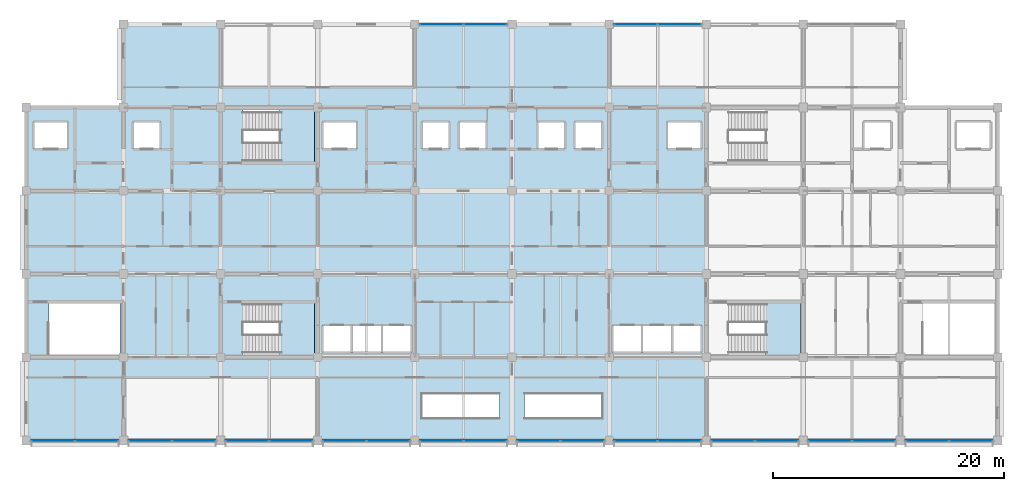
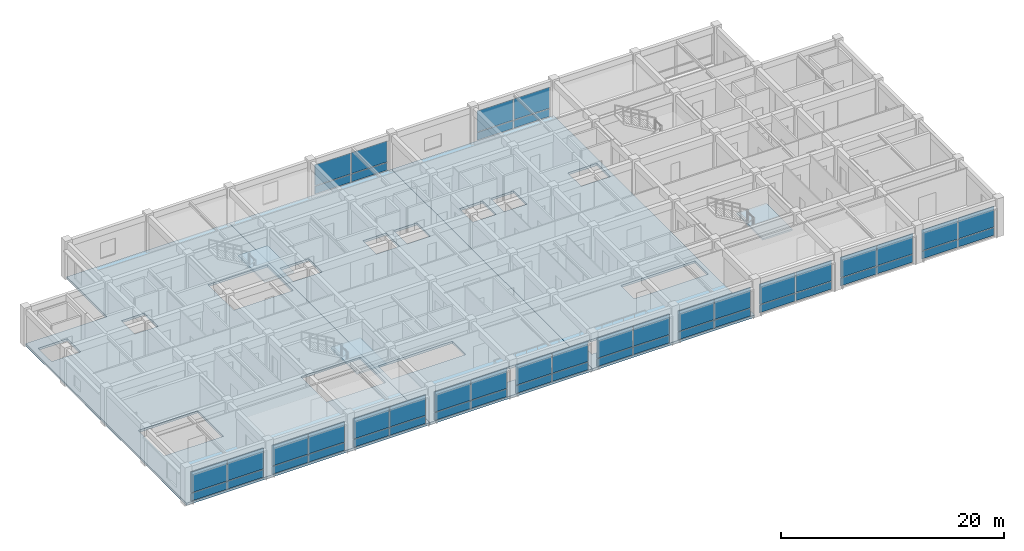
# One storey, part 8 of 23: 48 plates, 6 slabs, 15 elements without a shape of their own.
"""IFC4 building model written with IfcOpenShell, lengths in metres."""

from ifc_helpers import new_model, si_unit, direction, frame, origin, origin_2d, place, context, subcontext, project, spatial, polyline, rectangle, outline, extrude, material, layer, layer_set, type_object, element, aggregate, save


model = new_model("IFC4")

# Units and contexts
model_context = context("Model", 3, precision=1e-05, world=origin(), true_north=direction((0.0, 1.0)))
body_context = subcontext(model_context, "Body", "Model", "MODEL_VIEW")
ifc_project = project(units=[si_unit("LENGTHUNIT", "METRE"), si_unit("AREAUNIT", "SQUARE_METRE"), si_unit("VOLUMEUNIT", "CUBIC_METRE"), si_unit("PLANEANGLEUNIT", "RADIAN"), si_unit("MASSUNIT", "GRAM", prefix="KILO")], contexts=[model_context])

# Site, building, storey
site_placement = place(None, origin())
site = spatial("IfcSite", under=ifc_project, at=site_placement, CompositionType="ELEMENT")
building_placement = place(site_placement, origin())
building = spatial("IfcBuilding", under=site, at=building_placement, Name="Chengyuan Square Courthouse", CompositionType="ELEMENT")
storey_placement = place(building_placement, frame((0.0, 0.0, 43.5)))
storey = spatial("IfcBuildingStorey", under=building, at=storey_placement, Name="L10", CompositionType="ELEMENT", Elevation=43.5)

# Curtain wall, plates
ifc_material_1 = material(Name="Unitised Aluminium and Triple Low-E Glass", Category="aluminium")
ifc_layer_1 = layer(ifc_material_1, 0.219970703125)
ifc_layer_set_1 = layer_set([ifc_layer_1], Name="Unitised Aluminium and Triple Low-E Glass")
curtain_wall_type = type_object("IfcCurtainWallType", Name="CW-04", PredefinedType="USERDEFINED", material=ifc_layer_set_1)
curtain_wall_1_placement = place(storey_placement, origin())
curtain_wall_1 = element("IfcCurtainWall", 1, at=curtain_wall_1_placement, inside=storey, type_object=curtain_wall_type, Name="Unitised Curtain Wall CW-L10-247", ObjectType="UNITISED CURTAIN WALL", PredefinedType="USERDEFINED")
ifc_material_2 = material(Name="Triple Low-E Insulating Glass", Category="glass")
ifc_layer_2 = layer(ifc_material_2, 0.052001953125)
ifc_layer_set_2 = layer_set([ifc_layer_2], Name="Triple Low-E Insulating Glass")
plate_type = type_object("IfcPlateType", Name="CWP-04", PredefinedType="CURTAIN_PANEL", material=ifc_layer_set_2)
plate_1_placement = place(storey_placement, frame((44.3076171875, 79.199951171875, 0.080078125), z_axis=(0.0, 0.0, 1.0), x_axis=(1.0, 0.0, 0.0)))
plate_1 = element("IfcPlate", 2, at=plate_1_placement, type_object=plate_type, Name="CW-04 panel 1.1", PredefinedType="CURTAIN_PANEL", context=body_context, shape_type="SweptSolid", body=[
    extrude(rectangle(XDim=3.705078125, YDim=0.052001953125, at=origin_2d()), origin(), (0.0, 0.0, 1.0), 0.830078125),
])
plate_2_placement = place(storey_placement, frame((44.3076171875, 79.199951171875, 0.98974609375), z_axis=(0.0, 0.0, 1.0), x_axis=(1.0, 0.0, 0.0)))
plate_2 = element("IfcPlate", 3, at=plate_2_placement, type_object=plate_type, Name="CW-04 panel 1.2", PredefinedType="CURTAIN_PANEL", context=body_context, shape_type="SweptSolid", body=[
    extrude(rectangle(XDim=3.705078125, YDim=0.052001953125, at=origin_2d()), origin(), (0.0, 0.0, 1.0), 2.280029296875),
])
plate_3_placement = place(storey_placement, frame((48.092529296875, 79.199951171875, 0.080078125), z_axis=(0.0, 0.0, 1.0), x_axis=(1.0, 0.0, 0.0)))
plate_3 = element("IfcPlate", 4, at=plate_3_placement, type_object=plate_type, Name="CW-04 panel 2.1", PredefinedType="CURTAIN_PANEL", context=body_context, shape_type="SweptSolid", body=[
    extrude(rectangle(XDim=3.705078125, YDim=0.052001953125, at=origin_2d()), origin(), (0.0, 0.0, 1.0), 0.830078125),
])
plate_4_placement = place(storey_placement, frame((48.092529296875, 79.199951171875, 0.98974609375), z_axis=(0.0, 0.0, 1.0), x_axis=(1.0, 0.0, 0.0)))
plate_4 = element("IfcPlate", 5, at=plate_4_placement, type_object=plate_type, Name="CW-04 panel 2.2", PredefinedType="CURTAIN_PANEL", context=body_context, shape_type="SweptSolid", body=[
    extrude(rectangle(XDim=3.705078125, YDim=0.052001953125, at=origin_2d()), origin(), (0.0, 0.0, 1.0), 2.280029296875),
])
aggregate(curtain_wall_1, [plate_1, plate_2, plate_3, plate_4])

curtain_wall_2_placement = place(storey_placement, origin())
curtain_wall_2 = element("IfcCurtainWall", 6, at=curtain_wall_2_placement, inside=storey, type_object=curtain_wall_type, Name="Unitised Curtain Wall CW-L10-248", ObjectType="UNITISED CURTAIN WALL", PredefinedType="USERDEFINED")
plate_5_placement = place(storey_placement, frame((52.70751953125, 79.199951171875, 0.080078125), z_axis=(0.0, 0.0, 1.0), x_axis=(1.0, 0.0, 0.0)))
plate_5 = element("IfcPlate", 7, at=plate_5_placement, type_object=plate_type, Name="CW-04 panel 1.1", PredefinedType="CURTAIN_PANEL", context=body_context, shape_type="SweptSolid", body=[
    extrude(rectangle(XDim=3.705078125, YDim=0.052001953125, at=origin_2d()), origin(), (0.0, 0.0, 1.0), 0.830078125),
])
plate_6_placement = place(storey_placement, frame((52.70751953125, 79.199951171875, 0.989990234375), z_axis=(0.0, 0.0, 1.0), x_axis=(1.0, 0.0, 0.0)))
plate_6 = element("IfcPlate", 8, at=plate_6_placement, type_object=plate_type, Name="CW-04 panel 1.2", PredefinedType="CURTAIN_PANEL", context=body_context, shape_type="SweptSolid", body=[
    extrude(rectangle(XDim=3.705078125, YDim=0.052001953125, at=origin_2d()), origin(), (0.0, 0.0, 1.0), 2.22998046875),
])
plate_7_placement = place(storey_placement, frame((56.492431640625, 79.199951171875, 0.080078125), z_axis=(0.0, 0.0, 1.0), x_axis=(1.0, 0.0, 0.0)))
plate_7 = element("IfcPlate", 9, at=plate_7_placement, type_object=plate_type, Name="CW-04 panel 2.1", PredefinedType="CURTAIN_PANEL", context=body_context, shape_type="SweptSolid", body=[
    extrude(rectangle(XDim=3.705078125, YDim=0.052001953125, at=origin_2d()), origin(), (0.0, 0.0, 1.0), 0.830078125),
])
plate_8_placement = place(storey_placement, frame((56.492431640625, 79.199951171875, 0.989990234375), z_axis=(0.0, 0.0, 1.0), x_axis=(1.0, 0.0, 0.0)))
plate_8 = element("IfcPlate", 10, at=plate_8_placement, type_object=plate_type, Name="CW-04 panel 2.2", PredefinedType="CURTAIN_PANEL", context=body_context, shape_type="SweptSolid", body=[
    extrude(rectangle(XDim=3.705078125, YDim=0.052001953125, at=origin_2d()), origin(), (0.0, 0.0, 1.0), 2.22998046875),
])
aggregate(curtain_wall_2, [plate_5, plate_6, plate_7, plate_8])

curtain_wall_3_placement = place(storey_placement, origin())
curtain_wall_3 = element("IfcCurtainWall", 11, at=curtain_wall_3_placement, inside=storey, type_object=curtain_wall_type, Name="Unitised Curtain Wall CW-L10-249", ObjectType="UNITISED CURTAIN WALL", PredefinedType="USERDEFINED")
plate_9_placement = place(storey_placement, frame((61.107421875, 79.199951171875, 0.080078125), z_axis=(0.0, 0.0, 1.0), x_axis=(1.0, 0.0, 0.0)))
plate_9 = element("IfcPlate", 12, at=plate_9_placement, type_object=plate_type, Name="CW-04 panel 1.1", PredefinedType="CURTAIN_PANEL", context=body_context, shape_type="SweptSolid", body=[
    extrude(rectangle(XDim=3.705078125, YDim=0.052001953125, at=origin_2d()), origin(), (0.0, 0.0, 1.0), 0.830078125),
])
plate_10_placement = place(storey_placement, frame((61.107421875, 79.199951171875, 0.989990234375), z_axis=(0.0, 0.0, 1.0), x_axis=(1.0, 0.0, 0.0)))
plate_10 = element("IfcPlate", 13, at=plate_10_placement, type_object=plate_type, Name="CW-04 panel 1.2", PredefinedType="CURTAIN_PANEL", context=body_context, shape_type="SweptSolid", body=[
    extrude(rectangle(XDim=3.705078125, YDim=0.052001953125, at=origin_2d()), origin(), (0.0, 0.0, 1.0), 2.22998046875),
])
plate_11_placement = place(storey_placement, frame((64.892578125, 79.199951171875, 0.080078125), z_axis=(0.0, 0.0, 1.0), x_axis=(1.0, 0.0, 0.0)))
plate_11 = element("IfcPlate", 14, at=plate_11_placement, type_object=plate_type, Name="CW-04 panel 2.1", PredefinedType="CURTAIN_PANEL", context=body_context, shape_type="SweptSolid", body=[
    extrude(rectangle(XDim=3.705078125, YDim=0.052001953125, at=origin_2d()), origin(), (0.0, 0.0, 1.0), 0.830078125),
])
plate_12_placement = place(storey_placement, frame((64.892578125, 79.199951171875, 0.989990234375), z_axis=(0.0, 0.0, 1.0), x_axis=(1.0, 0.0, 0.0)))
plate_12 = element("IfcPlate", 15, at=plate_12_placement, type_object=plate_type, Name="CW-04 panel 2.2", PredefinedType="CURTAIN_PANEL", context=body_context, shape_type="SweptSolid", body=[
    extrude(rectangle(XDim=3.705078125, YDim=0.052001953125, at=origin_2d()), origin(), (0.0, 0.0, 1.0), 2.22998046875),
])
aggregate(curtain_wall_3, [plate_9, plate_10, plate_11, plate_12])

curtain_wall_4_placement = place(storey_placement, origin())
curtain_wall_4 = element("IfcCurtainWall", 16, at=curtain_wall_4_placement, inside=storey, type_object=curtain_wall_type, Name="Unitised Curtain Wall CW-L10-250", ObjectType="UNITISED CURTAIN WALL", PredefinedType="USERDEFINED")
plate_13_placement = place(storey_placement, frame((69.507568359375, 79.199951171875, 0.080078125), z_axis=(0.0, 0.0, 1.0), x_axis=(1.0, 0.0, 0.0)))
plate_13 = element("IfcPlate", 17, at=plate_13_placement, type_object=plate_type, Name="CW-04 panel 1.1", PredefinedType="CURTAIN_PANEL", context=body_context, shape_type="SweptSolid", body=[
    extrude(rectangle(XDim=3.705078125, YDim=0.052001953125, at=origin_2d()), origin(), (0.0, 0.0, 1.0), 0.830078125),
])
plate_14_placement = place(storey_placement, frame((69.507568359375, 79.199951171875, 0.989990234375), z_axis=(0.0, 0.0, 1.0), x_axis=(1.0, 0.0, 0.0)))
plate_14 = element("IfcPlate", 18, at=plate_14_placement, type_object=plate_type, Name="CW-04 panel 1.2", PredefinedType="CURTAIN_PANEL", context=body_context, shape_type="SweptSolid", body=[
    extrude(rectangle(XDim=3.705078125, YDim=0.052001953125, at=origin_2d()), origin(), (0.0, 0.0, 1.0), 2.22998046875),
])
plate_15_placement = place(storey_placement, frame((73.29248046875, 79.199951171875, 0.080078125), z_axis=(0.0, 0.0, 1.0), x_axis=(1.0, 0.0, 0.0)))
plate_15 = element("IfcPlate", 19, at=plate_15_placement, type_object=plate_type, Name="CW-04 panel 2.1", PredefinedType="CURTAIN_PANEL", context=body_context, shape_type="SweptSolid", body=[
    extrude(rectangle(XDim=3.705078125, YDim=0.052001953125, at=origin_2d()), origin(), (0.0, 0.0, 1.0), 0.830078125),
])
plate_16_placement = place(storey_placement, frame((73.29248046875, 79.199951171875, 0.989990234375), z_axis=(0.0, 0.0, 1.0), x_axis=(1.0, 0.0, 0.0)))
plate_16 = element("IfcPlate", 20, at=plate_16_placement, type_object=plate_type, Name="CW-04 panel 2.2", PredefinedType="CURTAIN_PANEL", context=body_context, shape_type="SweptSolid", body=[
    extrude(rectangle(XDim=3.705078125, YDim=0.052001953125, at=origin_2d()), origin(), (0.0, 0.0, 1.0), 2.22998046875),
])
aggregate(curtain_wall_4, [plate_13, plate_14, plate_15, plate_16])

curtain_wall_5_placement = place(storey_placement, origin())
curtain_wall_5 = element("IfcCurtainWall", 21, at=curtain_wall_5_placement, inside=storey, type_object=curtain_wall_type, Name="Unitised Curtain Wall CW-L10-251", ObjectType="UNITISED CURTAIN WALL", PredefinedType="USERDEFINED")
plate_17_placement = place(storey_placement, frame((77.907470703125, 79.199951171875, 0.080078125), z_axis=(0.0, 0.0, 1.0), x_axis=(1.0, 0.0, 0.0)))
plate_17 = element("IfcPlate", 22, at=plate_17_placement, type_object=plate_type, Name="CW-04 panel 1.1", PredefinedType="CURTAIN_PANEL", context=body_context, shape_type="SweptSolid", body=[
    extrude(rectangle(XDim=3.705078125, YDim=0.052001953125, at=origin_2d()), origin(), (0.0, 0.0, 1.0), 0.830078125),
])
plate_18_placement = place(storey_placement, frame((77.907470703125, 79.199951171875, 0.989990234375), z_axis=(0.0, 0.0, 1.0), x_axis=(1.0, 0.0, 0.0)))
plate_18 = element("IfcPlate", 23, at=plate_18_placement, type_object=plate_type, Name="CW-04 panel 1.2", PredefinedType="CURTAIN_PANEL", context=body_context, shape_type="SweptSolid", body=[
    extrude(rectangle(XDim=3.705078125, YDim=0.052001953125, at=origin_2d()), origin(), (0.0, 0.0, 1.0), 2.22998046875),
])
plate_19_placement = place(storey_placement, frame((81.6923828125, 79.199951171875, 0.080078125), z_axis=(0.0, 0.0, 1.0), x_axis=(1.0, 0.0, 0.0)))
plate_19 = element("IfcPlate", 24, at=plate_19_placement, type_object=plate_type, Name="CW-04 panel 2.1", PredefinedType="CURTAIN_PANEL", context=body_context, shape_type="SweptSolid", body=[
    extrude(rectangle(XDim=3.705078125, YDim=0.052001953125, at=origin_2d()), origin(), (0.0, 0.0, 1.0), 0.830078125),
])
plate_20_placement = place(storey_placement, frame((81.6923828125, 79.199951171875, 0.989990234375), z_axis=(0.0, 0.0, 1.0), x_axis=(1.0, 0.0, 0.0)))
plate_20 = element("IfcPlate", 25, at=plate_20_placement, type_object=plate_type, Name="CW-04 panel 2.2", PredefinedType="CURTAIN_PANEL", context=body_context, shape_type="SweptSolid", body=[
    extrude(rectangle(XDim=3.705078125, YDim=0.052001953125, at=origin_2d()), origin(), (0.0, 0.0, 1.0), 2.22998046875),
])
aggregate(curtain_wall_5, [plate_17, plate_18, plate_19, plate_20])

curtain_wall_6_placement = place(storey_placement, origin())
curtain_wall_6 = element("IfcCurtainWall", 26, at=curtain_wall_6_placement, inside=storey, type_object=curtain_wall_type, Name="Unitised Curtain Wall CW-L10-252", ObjectType="UNITISED CURTAIN WALL", PredefinedType="USERDEFINED")
plate_21_placement = place(storey_placement, frame((77.907470703125, 115.199951171875, 0.080078125), z_axis=(0.0, 0.0, 1.0), x_axis=(1.0, 0.0, 0.0)))
plate_21 = element("IfcPlate", 27, at=plate_21_placement, type_object=plate_type, Name="CW-04 panel 1.1", PredefinedType="CURTAIN_PANEL", context=body_context, shape_type="SweptSolid", body=[
    extrude(rectangle(XDim=3.705078125, YDim=0.052001953125, at=origin_2d()), origin(), (0.0, 0.0, 1.0), 0.830078125),
])
plate_22_placement = place(storey_placement, frame((77.907470703125, 115.199951171875, 0.98974609375), z_axis=(0.0, 0.0, 1.0), x_axis=(1.0, 0.0, 0.0)))
plate_22 = element("IfcPlate", 28, at=plate_22_placement, type_object=plate_type, Name="CW-04 panel 1.2", PredefinedType="CURTAIN_PANEL", context=body_context, shape_type="SweptSolid", body=[
    extrude(rectangle(XDim=3.705078125, YDim=0.052001953125, at=origin_2d()), origin(), (0.0, 0.0, 1.0), 2.280029296875),
])
plate_23_placement = place(storey_placement, frame((81.6923828125, 115.199951171875, 0.080078125), z_axis=(0.0, 0.0, 1.0), x_axis=(1.0, 0.0, 0.0)))
plate_23 = element("IfcPlate", 29, at=plate_23_placement, type_object=plate_type, Name="CW-04 panel 2.1", PredefinedType="CURTAIN_PANEL", context=body_context, shape_type="SweptSolid", body=[
    extrude(rectangle(XDim=3.705078125, YDim=0.052001953125, at=origin_2d()), origin(), (0.0, 0.0, 1.0), 0.830078125),
])
plate_24_placement = place(storey_placement, frame((81.6923828125, 115.199951171875, 0.98974609375), z_axis=(0.0, 0.0, 1.0), x_axis=(1.0, 0.0, 0.0)))
plate_24 = element("IfcPlate", 30, at=plate_24_placement, type_object=plate_type, Name="CW-04 panel 2.2", PredefinedType="CURTAIN_PANEL", context=body_context, shape_type="SweptSolid", body=[
    extrude(rectangle(XDim=3.705078125, YDim=0.052001953125, at=origin_2d()), origin(), (0.0, 0.0, 1.0), 2.280029296875),
])
aggregate(curtain_wall_6, [plate_21, plate_22, plate_23, plate_24])

curtain_wall_7_placement = place(storey_placement, origin())
curtain_wall_7 = element("IfcCurtainWall", 31, at=curtain_wall_7_placement, inside=storey, type_object=curtain_wall_type, Name="Unitised Curtain Wall CW-L10-253", ObjectType="UNITISED CURTAIN WALL", PredefinedType="USERDEFINED")
plate_25_placement = place(storey_placement, frame((86.3076171875, 79.199951171875, 0.080078125), z_axis=(0.0, 0.0, 1.0), x_axis=(1.0, 0.0, 0.0)))
plate_25 = element("IfcPlate", 32, at=plate_25_placement, type_object=plate_type, Name="CW-04 panel 1.1", PredefinedType="CURTAIN_PANEL", context=body_context, shape_type="SweptSolid", body=[
    extrude(rectangle(XDim=3.705078125, YDim=0.052001953125, at=origin_2d()), origin(), (0.0, 0.0, 1.0), 0.830078125),
])
plate_26_placement = place(storey_placement, frame((86.3076171875, 79.199951171875, 0.989990234375), z_axis=(0.0, 0.0, 1.0), x_axis=(1.0, 0.0, 0.0)))
plate_26 = element("IfcPlate", 33, at=plate_26_placement, type_object=plate_type, Name="CW-04 panel 1.2", PredefinedType="CURTAIN_PANEL", context=body_context, shape_type="SweptSolid", body=[
    extrude(rectangle(XDim=3.705078125, YDim=0.052001953125, at=origin_2d()), origin(), (0.0, 0.0, 1.0), 2.22998046875),
])
plate_27_placement = place(storey_placement, frame((90.092529296875, 79.199951171875, 0.080078125), z_axis=(0.0, 0.0, 1.0), x_axis=(1.0, 0.0, 0.0)))
plate_27 = element("IfcPlate", 34, at=plate_27_placement, type_object=plate_type, Name="CW-04 panel 2.1", PredefinedType="CURTAIN_PANEL", context=body_context, shape_type="SweptSolid", body=[
    extrude(rectangle(XDim=3.705078125, YDim=0.052001953125, at=origin_2d()), origin(), (0.0, 0.0, 1.0), 0.830078125),
])
plate_28_placement = place(storey_placement, frame((90.092529296875, 79.199951171875, 0.989990234375), z_axis=(0.0, 0.0, 1.0), x_axis=(1.0, 0.0, 0.0)))
plate_28 = element("IfcPlate", 35, at=plate_28_placement, type_object=plate_type, Name="CW-04 panel 2.2", PredefinedType="CURTAIN_PANEL", context=body_context, shape_type="SweptSolid", body=[
    extrude(rectangle(XDim=3.705078125, YDim=0.052001953125, at=origin_2d()), origin(), (0.0, 0.0, 1.0), 2.22998046875),
])
aggregate(curtain_wall_7, [plate_25, plate_26, plate_27, plate_28])

curtain_wall_8_placement = place(storey_placement, origin())
curtain_wall_8 = element("IfcCurtainWall", 36, at=curtain_wall_8_placement, inside=storey, type_object=curtain_wall_type, Name="Unitised Curtain Wall CW-L10-254", ObjectType="UNITISED CURTAIN WALL", PredefinedType="USERDEFINED")
plate_29_placement = place(storey_placement, frame((94.70751953125, 79.199951171875, 0.080078125), z_axis=(0.0, 0.0, 1.0), x_axis=(1.0, 0.0, 0.0)))
plate_29 = element("IfcPlate", 37, at=plate_29_placement, type_object=plate_type, Name="CW-04 panel 1.1", PredefinedType="CURTAIN_PANEL", context=body_context, shape_type="SweptSolid", body=[
    extrude(rectangle(XDim=3.705078125, YDim=0.052001953125, at=origin_2d()), origin(), (0.0, 0.0, 1.0), 0.830078125),
])
plate_30_placement = place(storey_placement, frame((94.70751953125, 79.199951171875, 0.989990234375), z_axis=(0.0, 0.0, 1.0), x_axis=(1.0, 0.0, 0.0)))
plate_30 = element("IfcPlate", 38, at=plate_30_placement, type_object=plate_type, Name="CW-04 panel 1.2", PredefinedType="CURTAIN_PANEL", context=body_context, shape_type="SweptSolid", body=[
    extrude(rectangle(XDim=3.705078125, YDim=0.052001953125, at=origin_2d()), origin(), (0.0, 0.0, 1.0), 2.22998046875),
])
plate_31_placement = place(storey_placement, frame((98.492431640625, 79.199951171875, 0.080078125), z_axis=(0.0, 0.0, 1.0), x_axis=(1.0, 0.0, 0.0)))
plate_31 = element("IfcPlate", 39, at=plate_31_placement, type_object=plate_type, Name="CW-04 panel 2.1", PredefinedType="CURTAIN_PANEL", context=body_context, shape_type="SweptSolid", body=[
    extrude(rectangle(XDim=3.705078125, YDim=0.052001953125, at=origin_2d()), origin(), (0.0, 0.0, 1.0), 0.830078125),
])
plate_32_placement = place(storey_placement, frame((98.492431640625, 79.199951171875, 0.989990234375), z_axis=(0.0, 0.0, 1.0), x_axis=(1.0, 0.0, 0.0)))
plate_32 = element("IfcPlate", 40, at=plate_32_placement, type_object=plate_type, Name="CW-04 panel 2.2", PredefinedType="CURTAIN_PANEL", context=body_context, shape_type="SweptSolid", body=[
    extrude(rectangle(XDim=3.705078125, YDim=0.052001953125, at=origin_2d()), origin(), (0.0, 0.0, 1.0), 2.22998046875),
])
aggregate(curtain_wall_8, [plate_29, plate_30, plate_31, plate_32])

curtain_wall_9_placement = place(storey_placement, origin())
curtain_wall_9 = element("IfcCurtainWall", 41, at=curtain_wall_9_placement, inside=storey, type_object=curtain_wall_type, Name="Unitised Curtain Wall CW-L10-255", ObjectType="UNITISED CURTAIN WALL", PredefinedType="USERDEFINED")
plate_33_placement = place(storey_placement, frame((94.70751953125, 115.199951171875, 0.080078125), z_axis=(0.0, 0.0, 1.0), x_axis=(1.0, 0.0, 0.0)))
plate_33 = element("IfcPlate", 42, at=plate_33_placement, type_object=plate_type, Name="CW-04 panel 1.1", PredefinedType="CURTAIN_PANEL", context=body_context, shape_type="SweptSolid", body=[
    extrude(rectangle(XDim=3.705078125, YDim=0.052001953125, at=origin_2d()), origin(), (0.0, 0.0, 1.0), 0.830078125),
])
plate_34_placement = place(storey_placement, frame((94.70751953125, 115.199951171875, 0.98974609375), z_axis=(0.0, 0.0, 1.0), x_axis=(1.0, 0.0, 0.0)))
plate_34 = element("IfcPlate", 43, at=plate_34_placement, type_object=plate_type, Name="CW-04 panel 1.2", PredefinedType="CURTAIN_PANEL", context=body_context, shape_type="SweptSolid", body=[
    extrude(rectangle(XDim=3.705078125, YDim=0.052001953125, at=origin_2d()), origin(), (0.0, 0.0, 1.0), 2.280029296875),
])
plate_35_placement = place(storey_placement, frame((98.492431640625, 115.199951171875, 0.080078125), z_axis=(0.0, 0.0, 1.0), x_axis=(1.0, 0.0, 0.0)))
plate_35 = element("IfcPlate", 44, at=plate_35_placement, type_object=plate_type, Name="CW-04 panel 2.1", PredefinedType="CURTAIN_PANEL", context=body_context, shape_type="SweptSolid", body=[
    extrude(rectangle(XDim=3.705078125, YDim=0.052001953125, at=origin_2d()), origin(), (0.0, 0.0, 1.0), 0.830078125),
])
plate_36_placement = place(storey_placement, frame((98.492431640625, 115.199951171875, 0.98974609375), z_axis=(0.0, 0.0, 1.0), x_axis=(1.0, 0.0, 0.0)))
plate_36 = element("IfcPlate", 45, at=plate_36_placement, type_object=plate_type, Name="CW-04 panel 2.2", PredefinedType="CURTAIN_PANEL", context=body_context, shape_type="SweptSolid", body=[
    extrude(rectangle(XDim=3.705078125, YDim=0.052001953125, at=origin_2d()), origin(), (0.0, 0.0, 1.0), 2.280029296875),
])
aggregate(curtain_wall_9, [plate_33, plate_34, plate_35, plate_36])

curtain_wall_10_placement = place(storey_placement, origin())
curtain_wall_10 = element("IfcCurtainWall", 46, at=curtain_wall_10_placement, inside=storey, type_object=curtain_wall_type, Name="Unitised Curtain Wall CW-L10-256", ObjectType="UNITISED CURTAIN WALL", PredefinedType="USERDEFINED")
plate_37_placement = place(storey_placement, frame((103.107421875, 79.199951171875, 0.080078125), z_axis=(0.0, 0.0, 1.0), x_axis=(1.0, 0.0, 0.0)))
plate_37 = element("IfcPlate", 47, at=plate_37_placement, type_object=plate_type, Name="CW-04 panel 1.1", PredefinedType="CURTAIN_PANEL", context=body_context, shape_type="SweptSolid", body=[
    extrude(rectangle(XDim=3.705078125, YDim=0.052001953125, at=origin_2d()), origin(), (0.0, 0.0, 1.0), 0.830078125),
])
plate_38_placement = place(storey_placement, frame((103.107421875, 79.199951171875, 0.989990234375), z_axis=(0.0, 0.0, 1.0), x_axis=(1.0, 0.0, 0.0)))
plate_38 = element("IfcPlate", 48, at=plate_38_placement, type_object=plate_type, Name="CW-04 panel 1.2", PredefinedType="CURTAIN_PANEL", context=body_context, shape_type="SweptSolid", body=[
    extrude(rectangle(XDim=3.705078125, YDim=0.052001953125, at=origin_2d()), origin(), (0.0, 0.0, 1.0), 2.22998046875),
])
plate_39_placement = place(storey_placement, frame((106.892578125, 79.199951171875, 0.080078125), z_axis=(0.0, 0.0, 1.0), x_axis=(1.0, 0.0, 0.0)))
plate_39 = element("IfcPlate", 49, at=plate_39_placement, type_object=plate_type, Name="CW-04 panel 2.1", PredefinedType="CURTAIN_PANEL", context=body_context, shape_type="SweptSolid", body=[
    extrude(rectangle(XDim=3.705078125, YDim=0.052001953125, at=origin_2d()), origin(), (0.0, 0.0, 1.0), 0.830078125),
])
plate_40_placement = place(storey_placement, frame((106.892578125, 79.199951171875, 0.989990234375), z_axis=(0.0, 0.0, 1.0), x_axis=(1.0, 0.0, 0.0)))
plate_40 = element("IfcPlate", 50, at=plate_40_placement, type_object=plate_type, Name="CW-04 panel 2.2", PredefinedType="CURTAIN_PANEL", context=body_context, shape_type="SweptSolid", body=[
    extrude(rectangle(XDim=3.705078125, YDim=0.052001953125, at=origin_2d()), origin(), (0.0, 0.0, 1.0), 2.22998046875),
])
aggregate(curtain_wall_10, [plate_37, plate_38, plate_39, plate_40])

curtain_wall_11_placement = place(storey_placement, origin())
curtain_wall_11 = element("IfcCurtainWall", 51, at=curtain_wall_11_placement, inside=storey, type_object=curtain_wall_type, Name="Unitised Curtain Wall CW-L10-257", ObjectType="UNITISED CURTAIN WALL", PredefinedType="USERDEFINED")
plate_41_placement = place(storey_placement, frame((111.507568359375, 79.199951171875, 0.080078125), z_axis=(0.0, 0.0, 1.0), x_axis=(1.0, 0.0, 0.0)))
plate_41 = element("IfcPlate", 52, at=plate_41_placement, type_object=plate_type, Name="CW-04 panel 1.1", PredefinedType="CURTAIN_PANEL", context=body_context, shape_type="SweptSolid", body=[
    extrude(rectangle(XDim=3.705078125, YDim=0.052001953125, at=origin_2d()), origin(), (0.0, 0.0, 1.0), 0.830078125),
])
plate_42_placement = place(storey_placement, frame((111.507568359375, 79.199951171875, 0.989990234375), z_axis=(0.0, 0.0, 1.0), x_axis=(1.0, 0.0, 0.0)))
plate_42 = element("IfcPlate", 53, at=plate_42_placement, type_object=plate_type, Name="CW-04 panel 1.2", PredefinedType="CURTAIN_PANEL", context=body_context, shape_type="SweptSolid", body=[
    extrude(rectangle(XDim=3.705078125, YDim=0.052001953125, at=origin_2d()), origin(), (0.0, 0.0, 1.0), 2.22998046875),
])
plate_43_placement = place(storey_placement, frame((115.29248046875, 79.199951171875, 0.080078125), z_axis=(0.0, 0.0, 1.0), x_axis=(1.0, 0.0, 0.0)))
plate_43 = element("IfcPlate", 54, at=plate_43_placement, type_object=plate_type, Name="CW-04 panel 2.1", PredefinedType="CURTAIN_PANEL", context=body_context, shape_type="SweptSolid", body=[
    extrude(rectangle(XDim=3.705078125, YDim=0.052001953125, at=origin_2d()), origin(), (0.0, 0.0, 1.0), 0.830078125),
])
plate_44_placement = place(storey_placement, frame((115.29248046875, 79.199951171875, 0.989990234375), z_axis=(0.0, 0.0, 1.0), x_axis=(1.0, 0.0, 0.0)))
plate_44 = element("IfcPlate", 55, at=plate_44_placement, type_object=plate_type, Name="CW-04 panel 2.2", PredefinedType="CURTAIN_PANEL", context=body_context, shape_type="SweptSolid", body=[
    extrude(rectangle(XDim=3.705078125, YDim=0.052001953125, at=origin_2d()), origin(), (0.0, 0.0, 1.0), 2.22998046875),
])
aggregate(curtain_wall_11, [plate_41, plate_42, plate_43, plate_44])

curtain_wall_12_placement = place(storey_placement, origin())
curtain_wall_12 = element("IfcCurtainWall", 56, at=curtain_wall_12_placement, inside=storey, type_object=curtain_wall_type, Name="Unitised Curtain Wall CW-L10-259", ObjectType="UNITISED CURTAIN WALL", PredefinedType="USERDEFINED")
plate_45_placement = place(storey_placement, frame((119.907470703125, 79.199951171875, 0.080078125), z_axis=(0.0, 0.0, 1.0), x_axis=(1.0, 0.0, 0.0)))
plate_45 = element("IfcPlate", 57, at=plate_45_placement, type_object=plate_type, Name="CW-04 panel 1.1", PredefinedType="CURTAIN_PANEL", context=body_context, shape_type="SweptSolid", body=[
    extrude(rectangle(XDim=3.705078125, YDim=0.052001953125, at=origin_2d()), origin(), (0.0, 0.0, 1.0), 0.830078125),
])
plate_46_placement = place(storey_placement, frame((119.907470703125, 79.199951171875, 0.98974609375), z_axis=(0.0, 0.0, 1.0), x_axis=(1.0, 0.0, 0.0)))
plate_46 = element("IfcPlate", 58, at=plate_46_placement, type_object=plate_type, Name="CW-04 panel 1.2", PredefinedType="CURTAIN_PANEL", context=body_context, shape_type="SweptSolid", body=[
    extrude(rectangle(XDim=3.705078125, YDim=0.052001953125, at=origin_2d()), origin(), (0.0, 0.0, 1.0), 2.280029296875),
])
plate_47_placement = place(storey_placement, frame((123.6923828125, 79.199951171875, 0.080078125), z_axis=(0.0, 0.0, 1.0), x_axis=(1.0, 0.0, 0.0)))
plate_47 = element("IfcPlate", 59, at=plate_47_placement, type_object=plate_type, Name="CW-04 panel 2.1", PredefinedType="CURTAIN_PANEL", context=body_context, shape_type="SweptSolid", body=[
    extrude(rectangle(XDim=3.705078125, YDim=0.052001953125, at=origin_2d()), origin(), (0.0, 0.0, 1.0), 0.830078125),
])
plate_48_placement = place(storey_placement, frame((123.6923828125, 79.199951171875, 0.98974609375), z_axis=(0.0, 0.0, 1.0), x_axis=(1.0, 0.0, 0.0)))
plate_48 = element("IfcPlate", 60, at=plate_48_placement, type_object=plate_type, Name="CW-04 panel 2.2", PredefinedType="CURTAIN_PANEL", context=body_context, shape_type="SweptSolid", body=[
    extrude(rectangle(XDim=3.705078125, YDim=0.052001953125, at=origin_2d()), origin(), (0.0, 0.0, 1.0), 2.280029296875),
])
aggregate(curtain_wall_12, [plate_45, plate_46, plate_47, plate_48])

# Stair, slab
ifc_material_3 = material(Name="Concrete C40", Category="concrete")
stair_type_1 = type_object("IfcStairType", Name="ST-TYPE-01", PredefinedType="HALF_TURN_STAIR", material=ifc_material_3)
stair_1_placement = place(storey_placement, origin())
stair_1 = element("IfcStair", 61, at=stair_1_placement, inside=storey, type_object=stair_type_1, Name="Smoke-Proof Exit Stair ST-1 (L10 to L11)", PredefinedType="HALF_TURN_STAIR")
ifc_layer_3 = layer(ifc_material_3, 0.179931640625)
ifc_layer_set_3 = layer_set([ifc_layer_3], Name="Concrete C40")
slab_type_1 = type_object("IfcSlabType", Name="SL-LND2", PredefinedType="LANDING", material=ifc_layer_set_3)
slab_1_placement = place(storey_placement, frame((0.0, 0.0, 1.919921875)))
slab_1 = element("IfcSlab", 62, at=slab_1_placement, type_object=slab_type_1, Name="ST-1 landing 1", PredefinedType="LANDING", context=body_context, shape_type="SweptSolid", body=[
    extrude(outline(polyline([(63.889892578125, 103.159912109375), (66.93994140625, 103.159912109375), (66.93994140625, 107.840087890625), (63.889892578125, 107.840087890625), (63.889892578125, 103.159912109375)])), origin(), (0.0, 0.0, 1.0), 0.18017578125),
])
aggregate(stair_1, [slab_1])

stair_type_2 = type_object("IfcStairType", Name="ST-TYPE-03", PredefinedType="HALF_TURN_STAIR", material=ifc_material_3)
stair_2_placement = place(storey_placement, origin())
stair_2 = element("IfcStair", 63, at=stair_2_placement, inside=storey, type_object=stair_type_2, Name="Smoke-Proof Exit Stair ST-3 (L10 to L11)", PredefinedType="HALF_TURN_STAIR")
slab_2_placement = place(storey_placement, frame((0.0, 0.0, 1.919921875)))
slab_2 = element("IfcSlab", 64, at=slab_2_placement, type_object=slab_type_1, Name="ST-3 landing 1", PredefinedType="LANDING", context=body_context, shape_type="SweptSolid", body=[
    extrude(outline(polyline([(63.889892578125, 86.56005859375), (66.93994140625, 86.56005859375), (66.93994140625, 91.239990234375), (63.889892578125, 91.239990234375), (63.889892578125, 86.56005859375)])), origin(), (0.0, 0.0, 1.0), 0.18017578125),
])
aggregate(stair_2, [slab_2])

stair_type_3 = type_object("IfcStairType", Name="ST-TYPE-04", PredefinedType="HALF_TURN_STAIR", material=ifc_material_3)
stair_3_placement = place(storey_placement, origin())
stair_3 = element("IfcStair", 65, at=stair_3_placement, inside=storey, type_object=stair_type_3, Name="Smoke-Proof Exit Stair ST-4 (L10 to L11)", PredefinedType="HALF_TURN_STAIR")
slab_3_placement = place(storey_placement, frame((0.0, 0.0, 1.919921875)))
slab_3 = element("IfcSlab", 66, at=slab_3_placement, type_object=slab_type_1, Name="ST-4 landing 1", PredefinedType="LANDING", context=body_context, shape_type="SweptSolid", body=[
    extrude(outline(polyline([(105.889892578125, 86.56005859375), (108.93994140625, 86.56005859375), (108.93994140625, 91.239990234375), (105.889892578125, 91.239990234375), (105.889892578125, 86.56005859375)])), origin(), (0.0, 0.0, 1.0), 0.18017578125),
])
aggregate(stair_3, [slab_3])

# Slabs
ifc_layer_4 = layer(ifc_material_3, 0.25)
ifc_layer_set_4 = layer_set([ifc_layer_4], Name="Concrete C40")
slab_type_2 = type_object("IfcSlabType", Name="SL-RC25", PredefinedType="FLOOR", material=ifc_layer_set_4)
slab_4_placement = place(storey_placement, frame((0.0, 0.0, -0.25)))
element("IfcSlab", 67, at=slab_4_placement, inside=storey, type_object=slab_type_2, Name="Suspended Floor Slab SL-L10-01", PredefinedType="FLOOR", context=body_context, shape_type="SweptSolid", body=[
    extrude(outline(polyline([(50.39990234375, 115.199951171875), (58.800048828125, 115.199951171875), (67.199951171875, 115.199951171875), (67.199951171875, 79.199951171875), (58.800048828125, 79.199951171875), (50.39990234375, 79.199951171875), (42.0, 79.199951171875), (42.0, 86.39990234375), (42.0, 93.60009765625), (42.0, 100.800048828125), (42.0, 108.0), (50.39990234375, 108.0), (50.39990234375, 115.199951171875)]), holes=[polyline([(50.10009765625, 91.199951171875), (43.949951171875, 91.199951171875), (43.949951171875, 86.60009765625), (50.10009765625, 86.60009765625), (50.10009765625, 91.199951171875)]), polyline([(66.89990234375, 91.199951171875), (60.75, 91.199951171875), (60.75, 86.60009765625), (66.89990234375, 86.60009765625), (66.89990234375, 91.199951171875)]), polyline([(60.75, 107.800048828125), (60.75, 103.199951171875), (66.89990234375, 103.199951171875), (66.89990234375, 107.800048828125), (60.75, 107.800048828125)]), polyline([(45.60009765625, 106.800048828125), (42.60009765625, 106.800048828125), (42.60009765625, 104.39990234375), (45.60009765625, 104.39990234375), (45.60009765625, 106.800048828125)]), polyline([(53.60009765625, 106.800048828125), (51.199951171875, 106.800048828125), (51.199951171875, 104.39990234375), (53.60009765625, 104.39990234375), (53.60009765625, 106.800048828125)])]), origin(), (0.0, 0.0, 1.0), 0.25),
])
slab_5_placement = place(storey_placement, frame((0.0, 0.0, -0.25)))
element("IfcSlab", 68, at=slab_5_placement, inside=storey, type_object=slab_type_2, Name="Suspended Floor Slab SL-L10-02", PredefinedType="FLOOR", context=body_context, shape_type="SweptSolid", body=[
    extrude(outline(polyline([(75.60009765625, 115.199951171875), (84.0, 115.199951171875), (84.0, 79.199951171875), (75.60009765625, 79.199951171875), (67.199951171875, 79.199951171875), (67.199951171875, 115.199951171875), (75.60009765625, 115.199951171875)]), holes=[polyline([(76.25, 83.199951171875), (76.25, 81.199951171875), (82.89990234375, 81.199951171875), (82.89990234375, 83.199951171875), (76.25, 83.199951171875)]), polyline([(70.14990234375, 89.199951171875), (67.60009765625, 89.199951171875), (67.60009765625, 86.800048828125), (70.14990234375, 86.800048828125), (72.75, 86.800048828125), (75.300048828125, 86.800048828125), (75.300048828125, 89.199951171875), (72.75, 89.199951171875), (70.14990234375, 89.199951171875)]), polyline([(67.60009765625, 106.800048828125), (67.60009765625, 104.39990234375), (70.60009765625, 104.39990234375), (70.60009765625, 106.800048828125), (67.60009765625, 106.800048828125)]), polyline([(78.60009765625, 106.800048828125), (76.199951171875, 106.800048828125), (76.199951171875, 104.39990234375), (78.60009765625, 104.39990234375), (78.60009765625, 106.800048828125)]), polyline([(81.800048828125, 106.800048828125), (79.39990234375, 106.800048828125), (79.39990234375, 104.39990234375), (81.800048828125, 104.39990234375), (81.800048828125, 106.800048828125)])]), origin(), (0.0, 0.0, 1.0), 0.25),
])
slab_6_placement = place(storey_placement, frame((0.0, 0.0, -0.25)))
element("IfcSlab", 69, at=slab_6_placement, inside=storey, type_object=slab_type_2, Name="Suspended Floor Slab SL-L10-03", PredefinedType="FLOOR", context=body_context, shape_type="SweptSolid", body=[
    extrude(outline(polyline([(92.39990234375, 115.199951171875), (100.800048828125, 115.199951171875), (100.800048828125, 79.199951171875), (92.39990234375, 79.199951171875), (84.0, 79.199951171875), (84.0, 115.199951171875), (92.39990234375, 115.199951171875)]), holes=[polyline([(85.10009765625, 83.199951171875), (85.10009765625, 81.199951171875), (91.75, 81.199951171875), (91.75, 83.199951171875), (85.10009765625, 83.199951171875)]), polyline([(95.25, 89.199951171875), (92.699951171875, 89.199951171875), (92.699951171875, 86.800048828125), (95.25, 86.800048828125), (97.85009765625, 86.800048828125), (100.39990234375, 86.800048828125), (100.39990234375, 89.199951171875), (97.85009765625, 89.199951171875), (95.25, 89.199951171875)]), polyline([(88.60009765625, 106.800048828125), (86.199951171875, 106.800048828125), (86.199951171875, 104.39990234375), (88.60009765625, 104.39990234375), (88.60009765625, 106.800048828125)]), polyline([(91.800048828125, 106.800048828125), (89.39990234375, 106.800048828125), (89.39990234375, 104.39990234375), (91.800048828125, 104.39990234375), (91.800048828125, 106.800048828125)]), polyline([(97.39990234375, 106.800048828125), (97.39990234375, 104.39990234375), (100.39990234375, 104.39990234375), (100.39990234375, 106.800048828125), (97.39990234375, 106.800048828125)])]), origin(), (0.0, 0.0, 1.0), 0.25),
])

save(model, "model.ifc")
